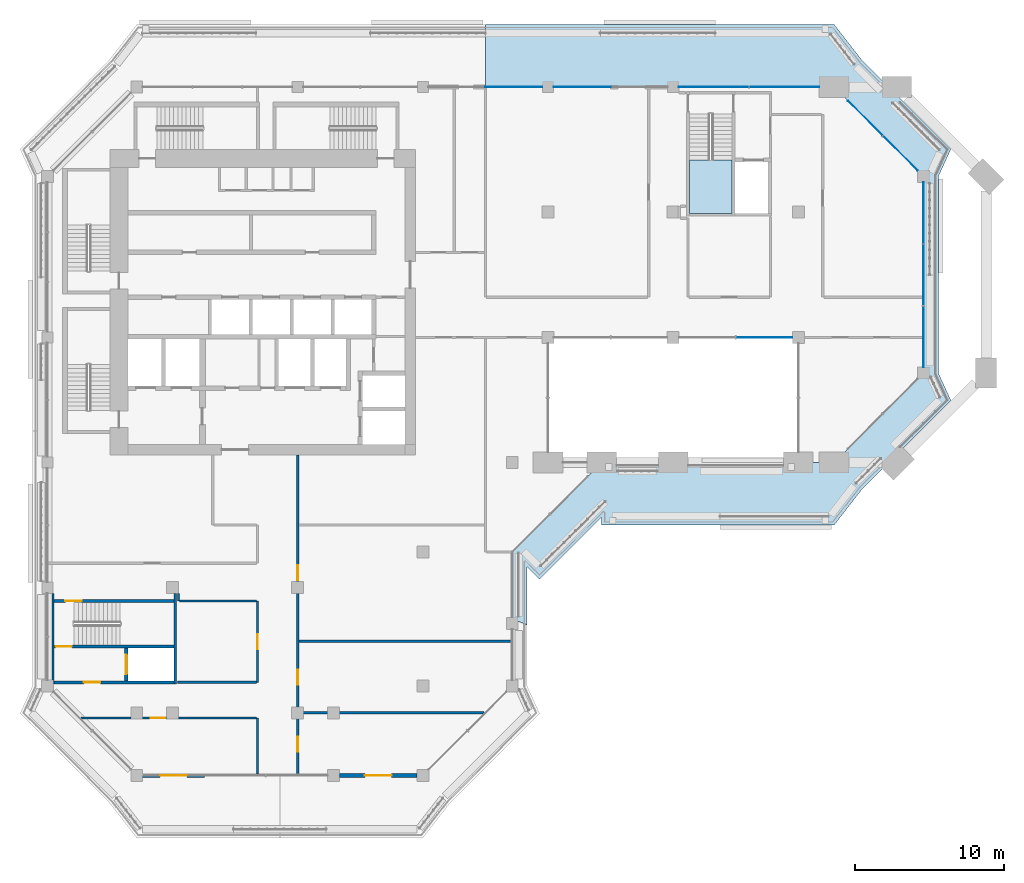
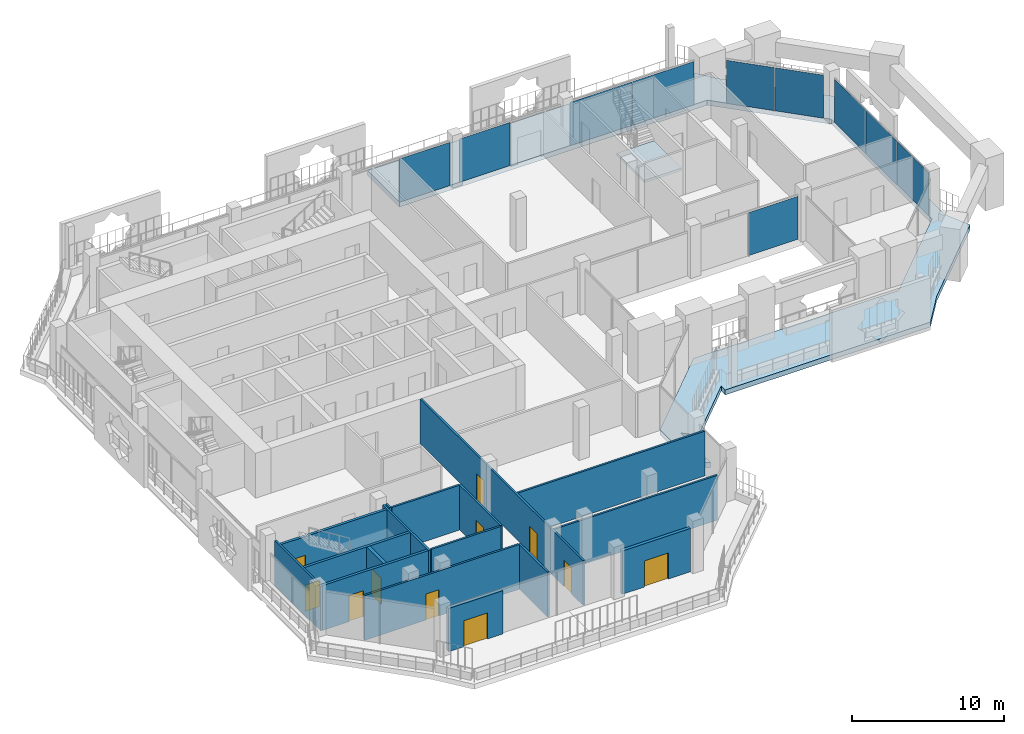
# One storey, part 9 of 22: 17 walls, 11 doors, 10 plates, 2 slabs, 11 openings, 5 elements without a shape of their own.
"""IFC4 building model written with IfcOpenShell, lengths in metres."""

import ifcopenshell
import ifcopenshell.guid

model = None  # the IFC model being written
_history = None  # IfcOwnerHistory: only IFC2X3 demands one
_inside = {}  # id of a spatial element -> (the spatial element, [elements in it])
_under = {}  # id of a project, library or spatial element -> (it, [spatial elements below it])
_declared = {}  # id of a project -> (the project, [libraries it declares])
_typed = {}  # id of a type object -> (the type object, [elements of that type])
_made_of = {}  # id of a material, layer set ... -> (it, [elements and type objects made of it])


def new_model(schema):
    """Start an empty IFC model of exactly this schema.

    Asked for "IFC4X3", IfcOpenShell would pick the latest addendum, in which some entities
    have other attributes; the version numbers below select the first issue.
    IFC2X3 requires an IfcOwnerHistory on every rooted entity: one is made here for all.
    """
    global model, _history
    if schema == "IFC4X3":
        model = ifcopenshell.file(schema_version=(4, 3, 0, 0))
    else:
        model = ifcopenshell.file(schema=schema)
    _inside.clear()
    _under.clear()
    _declared.clear()
    _typed.clear()
    _made_of.clear()
    _history = None
    if model.schema == "IFC2X3":
        org = make("IfcOrganization", Name="unknown")
        user = make(
            "IfcPersonAndOrganization",
            ThePerson=make("IfcPerson", FamilyName="unknown"),
            TheOrganization=org,
        )
        app = make(
            "IfcApplication",
            ApplicationDeveloper=org,
            Version="unknown",
            ApplicationFullName="unknown",
            ApplicationIdentifier="unknown",
        )
        _history = make(
            "IfcOwnerHistory",
            OwningUser=user,
            OwningApplication=app,
            ChangeAction="ADDED",
            CreationDate=0,
        )
    return model


def make(cls, **values):
    """One entity of the class cls with the attributes given. An attribute that is None is left unset."""
    return model.create_entity(
        cls, **{name: value for name, value in values.items() if value is not None}
    )


def rooted(cls, **values):
    """An entity with a GlobalId (a new one), such as an element, a storey or a relation."""
    return make(cls, GlobalId=ifcopenshell.guid.new(), OwnerHistory=_history, **values)


def si_unit(unit_type, name, prefix=None):
    """IfcSIUnit, for example si_unit("LENGTHUNIT", "METRE", prefix="MILLI")."""
    return make("IfcSIUnit", UnitType=unit_type, Prefix=prefix, Name=name)


def assignment(units):
    """IfcUnitAssignment: the units of a project."""
    return None if units is None else make("IfcUnitAssignment", Units=units)


def point(xyz):
    """IfcCartesianPoint."""
    return None if xyz is None else make("IfcCartesianPoint", Coordinates=xyz)


def direction(xyz):
    """IfcDirection."""
    return None if xyz is None else make("IfcDirection", DirectionRatios=xyz)


def frame(location, z_axis=None, x_axis=None):
    """IfcAxis2Placement3D, a coordinate frame: its origin and axes. An axis left out is left unset."""
    return make(
        "IfcAxis2Placement3D",
        Location=point(location),
        Axis=direction(z_axis),
        RefDirection=direction(x_axis),
    )


def frame_2d(location, x_axis=None):
    """IfcAxis2Placement2D, a coordinate frame in the plane: its origin and x axis."""
    return make(
        "IfcAxis2Placement2D", Location=point(location), RefDirection=direction(x_axis)
    )


def origin():
    """The frame at (0, 0, 0) with its axes left unset."""
    return frame((0.0, 0.0, 0.0))


def origin_2d():
    """The frame at (0, 0) in the plane with its x axis left unset."""
    return frame_2d((0.0, 0.0))


def place(relative_to, where):
    """IfcLocalPlacement: puts the frame where relative to a parent placement (None: the world)."""
    return make(
        "IfcLocalPlacement", PlacementRelTo=relative_to, RelativePlacement=where
    )


def context(
    kind, dimensions, precision=None, world=None, true_north=None, identifier=None
):
    """IfcGeometricRepresentationContext, for example the 3D "Model" context."""
    return make(
        "IfcGeometricRepresentationContext",
        ContextIdentifier=identifier,
        ContextType=kind,
        CoordinateSpaceDimension=dimensions,
        Precision=precision,
        WorldCoordinateSystem=world,
        TrueNorth=true_north,
    )


def subcontext(parent, identifier, kind, view, scale=None):
    """IfcGeometricRepresentationSubContext, for example "Body" below "Model"."""
    return make(
        "IfcGeometricRepresentationSubContext",
        ContextIdentifier=identifier,
        ContextType=kind,
        ParentContext=parent,
        TargetScale=scale,
        TargetView=view,
    )


def project(units=None, contexts=None):
    """IfcProject with its units and contexts."""
    return rooted(
        "IfcProject",
        Name="project",
        RepresentationContexts=contexts,
        UnitsInContext=assignment(units),
    )


def spatial(cls, under=None, at=None, **own):
    """A site, building, storey or space (cls), placed at a placement, below another one or the project."""
    s = rooted(cls, ObjectPlacement=at, **own)
    if under is not None:
        _under.setdefault(under.id(), (under, []))[1].append(s)
    return s


def polyline(points):
    """IfcPolyline through the points."""
    return make("IfcPolyline", Points=[point(p) for p in points])


def profile(cls, at=None, kind="AREA", **sizes):
    """A parametric profile (cls). Its sizes go by their IFC names, for example OverallWidth=200.0."""
    return make(cls, ProfileType=kind, Position=at, **sizes)


def rectangle(**sizes):
    """IfcRectangleProfileDef."""
    return profile("IfcRectangleProfileDef", **sizes)


def outline(outer, holes=None, kind="AREA"):
    """IfcArbitraryClosedProfileDef: a profile drawn as a closed curve; with holes, ...WithVoids."""
    if holes is None:
        return make("IfcArbitraryClosedProfileDef", ProfileType=kind, OuterCurve=outer)
    return make(
        "IfcArbitraryProfileDefWithVoids",
        ProfileType=kind,
        OuterCurve=outer,
        InnerCurves=holes,
    )


def extrude(swept, where, along, depth):
    """IfcExtrudedAreaSolid: the profile swept, set in the frame where, extruded along a direction by depth."""
    return make(
        "IfcExtrudedAreaSolid",
        SweptArea=swept,
        Position=where,
        ExtrudedDirection=direction(along),
        Depth=depth,
    )


def shape(context_of_items, identifier, shape_type, items):
    """IfcShapeRepresentation: the items that make up one representation, for example the "Body"."""
    return make(
        "IfcShapeRepresentation",
        ContextOfItems=context_of_items,
        RepresentationIdentifier=identifier,
        RepresentationType=shape_type,
        Items=items,
    )


def material(Name=None, Category=None):
    """IfcMaterial."""
    return make("IfcMaterial", Name=Name, Category=Category)


def layer(
    of_material, thickness, ventilated=None, Name=None, Category=None, Priority=None
):
    """IfcMaterialLayer: one layer of a wall or slab, of a material (None: an air gap)."""
    return make(
        "IfcMaterialLayer",
        Material=of_material,
        LayerThickness=thickness,
        IsVentilated=ventilated,
        Name=Name,
        Category=Category,
        Priority=Priority,
    )


def layer_set(layers, Name=None):
    """IfcMaterialLayerSet."""
    return make("IfcMaterialLayerSet", MaterialLayers=layers, LayerSetName=Name)


def made_of(thing, what):
    """Note that an element or type object is made of a material, layer set ...; save() writes the relation."""
    if what is not None:
        _made_of.setdefault(what.id(), (what, []))[1].append(thing)
    return thing


def type_object(cls, material=None, **own):
    """A type object (cls), such as IfcWallType, which elements share."""
    return made_of(rooted(cls, **own), material)


def element(
    cls,
    number,
    at=None,
    inside=None,
    cuts=None,
    type_object=None,
    material=None,
    context=None,
    identifier="Body",
    shape_type=None,
    held_by="IfcProductDefinitionShape",
    body=None,
    shapes=None,
    **own,
):
    """One element of the class cls, such as IfcWall. Its Tag is "e" and its number.

    at: its placement. inside: the storey or other place that contains it. cuts: it is an
    opening in that element (IfcRelVoidsElement). A single representation is given by context,
    identifier, shape_type and body (its items); several are given by shapes. held_by: the class
    of the entity that holds the representations. save() writes the other relations.
    """
    e = rooted(cls, Tag="e%d" % number, ObjectPlacement=at, **own)
    if body is not None:
        shapes = [shape(context, identifier, shape_type, body)]
    if shapes is not None:
        e.Representation = make(held_by, Representations=shapes)
    if inside is not None:
        _inside.setdefault(inside.id(), (inside, []))[1].append(e)
    if cuts is not None:
        rooted(
            "IfcRelVoidsElement", RelatingBuildingElement=cuts, RelatedOpeningElement=e
        )
    if type_object is not None:
        _typed.setdefault(type_object.id(), (type_object, []))[1].append(e)
    return made_of(e, material)


def fill(opening, filler):
    """IfcRelFillsElement: the door or window that sits in an opening."""
    return rooted(
        "IfcRelFillsElement",
        RelatingOpeningElement=opening,
        RelatedBuildingElement=filler,
    )


def aggregate(whole, parts):
    """IfcRelAggregates: a whole, such as a stair, and the parts it consists of."""
    return rooted("IfcRelAggregates", RelatingObject=whole, RelatedObjects=parts)


def save(model, path):
    """Write the relations noted so far, then the file.

    IfcRelAggregates (storeys below a building ...), IfcRelContainedInSpatialStructure (elements
    in a storey), IfcRelDefinesByType, IfcRelAssociatesMaterial and IfcRelDeclares: one each for
    every whole, place, type object, material and project.
    """
    for whole, parts in _under.values():
        aggregate(whole, parts)
    for where, things in _inside.values():
        rooted(
            "IfcRelContainedInSpatialStructure",
            RelatedElements=things,
            RelatingStructure=where,
        )
    for kind, things in _typed.values():
        rooted("IfcRelDefinesByType", RelatedObjects=things, RelatingType=kind)
    for what, things in _made_of.values():
        rooted("IfcRelAssociatesMaterial", RelatedObjects=things, RelatingMaterial=what)
    for by, libraries in _declared.values():
        rooted("IfcRelDeclares", RelatingContext=by, RelatedDefinitions=libraries)
    model.write(path)


model = new_model("IFC4")

# Units and contexts
model_context = context("Model", 3, precision=1e-05, world=origin(), true_north=direction((0.0, 1.0)))
body_context = subcontext(model_context, "Body", "Model", "MODEL_VIEW")
ifc_project = project(units=[si_unit("LENGTHUNIT", "METRE"), si_unit("AREAUNIT", "SQUARE_METRE"), si_unit("VOLUMEUNIT", "CUBIC_METRE"), si_unit("PLANEANGLEUNIT", "RADIAN"), si_unit("MASSUNIT", "GRAM", prefix="KILO")], contexts=[model_context])

# Site, building, storey
site_placement = place(None, origin())
site = spatial("IfcSite", under=ifc_project, at=site_placement, CompositionType="ELEMENT")
building_placement = place(site_placement, origin())
building = spatial("IfcBuilding", under=site, at=building_placement, Name="Kawkab Arch Medical Tower", CompositionType="ELEMENT")
storey_placement = place(building_placement, frame((0.0, 0.0, 286.0)))
storey = spatial("IfcBuildingStorey", under=building, at=storey_placement, Name="L66", CompositionType="ELEMENT", Elevation=286.0)

# Curtain wall, plates
ifc_material_1 = material(Name="Bronze anodised aluminium curtain wall frame", Category="aluminium")
ifc_layer_1 = layer(ifc_material_1, 0.159912109375)
ifc_layer_set_1 = layer_set([ifc_layer_1], Name="Bronze anodised aluminium curtain wall frame")
curtain_wall_type_1 = type_object("IfcCurtainWallType", Name="CW1 ward curtain wall", PredefinedType="NOTDEFINED", material=ifc_layer_set_1)
placement = place(storey_placement, origin())
curtain_wall_1 = element("IfcCurtainWall", 1, at=placement, inside=storey, type_object=curtain_wall_type_1, Name="CW1 Ward curtain wall R08", PredefinedType="NOTDEFINED")
ifc_material_2 = material(Name="Tinted insulating glass, bronze low-e coating", Category="glass")
ifc_layer_2 = layer(ifc_material_2, 0.031982421875)
ifc_layer_set_2 = layer_set([ifc_layer_2], Name="Tinted insulating glass, bronze low-e coating")
plate_type_1 = type_object("IfcPlateType", Name="CW1 glazing unit 32", PredefinedType="CURTAIN_PANEL", material=ifc_layer_set_2)
plate_1_placement = place(storey_placement, frame((58.800048828125, -16.748291015625, 0.0), z_axis=(0.0, 0.0, 1.0), x_axis=(0.0, 1.0, 0.0)))
plate_1 = element("IfcPlate", 2, at=plate_1_placement, type_object=plate_type_1, Name="CW1 glazing unit 1.1", PredefinedType="CURTAIN_PANEL", context=body_context, shape_type="SweptSolid", body=[
    extrude(rectangle(XDim=4.103271484375, YDim=0.031982421875, at=origin_2d()), origin(), (0.0, 0.0, 1.0), 3.47998046875),
])
plate_2_placement = place(storey_placement, frame((58.800048828125, -12.60009765625, 0.0), z_axis=(0.0, 0.0, 1.0), x_axis=(0.0, 1.0, 0.0)))
plate_2 = element("IfcPlate", 3, at=plate_2_placement, type_object=plate_type_1, Name="CW1 glazing unit 1.2", PredefinedType="CURTAIN_PANEL", context=body_context, shape_type="SweptSolid", body=[
    extrude(rectangle(XDim=4.0732421875, YDim=0.031982421875, at=origin_2d()), origin(), (0.0, 0.0, 1.0), 3.47998046875),
])
plate_3_placement = place(storey_placement, frame((58.800048828125, -8.45166015625, 0.0), z_axis=(0.0, 0.0, 1.0), x_axis=(0.0, 1.0, 0.0)))
plate_3 = element("IfcPlate", 4, at=plate_3_placement, type_object=plate_type_1, Name="CW1 glazing unit 1.3", PredefinedType="CURTAIN_PANEL", context=body_context, shape_type="SweptSolid", body=[
    extrude(rectangle(XDim=4.103271484375, YDim=0.031982421875, at=origin_2d()), origin(), (0.0, 0.0, 1.0), 3.47998046875),
])
aggregate(curtain_wall_1, [plate_1, plate_2, plate_3])

curtain_wall_2 = element("IfcCurtainWall", 5, at=placement, inside=storey, type_object=curtain_wall_type_1, Name="CW1 Ward curtain wall R10", PredefinedType="NOTDEFINED")
plate_4_placement = place(storey_placement, frame((49.458740234375, 0.0, 0.0), z_axis=(0.0, 0.0, 1.0), x_axis=(-1.0, 0.0, 0.0)))
plate_4 = element("IfcPlate", 6, at=plate_4_placement, type_object=plate_type_1, Name="CW1 glazing unit 1.1", PredefinedType="CURTAIN_PANEL", context=body_context, shape_type="SweptSolid", body=[
    extrude(rectangle(XDim=4.6826171875, YDim=0.031982421875, at=origin_2d()), origin(), (0.0, 0.0, 1.0), 3.47998046875),
])
plate_5_placement = place(storey_placement, frame((44.71630859375, 0.0, 0.0), z_axis=(0.0, 0.0, 1.0), x_axis=(-1.0, 0.0, 0.0)))
plate_5 = element("IfcPlate", 7, at=plate_5_placement, type_object=plate_type_1, Name="CW1 glazing unit 1.2", PredefinedType="CURTAIN_PANEL", context=body_context, shape_type="SweptSolid", body=[
    extrude(rectangle(XDim=4.6826171875, YDim=0.031982421875, at=origin_2d()), origin(), (0.0, 0.0, 1.0), 3.47998046875),
])
plate_6_placement = place(storey_placement, frame((35.887451171875, 0.0, 0.0), z_axis=(0.0, 0.0, 1.0), x_axis=(-1.0, 0.0, 0.0)))
plate_6 = element("IfcPlate", 8, at=plate_6_placement, type_object=plate_type_1, Name="CW1 glazing unit 2.2", PredefinedType="CURTAIN_PANEL", context=body_context, shape_type="SweptSolid", body=[
    extrude(rectangle(XDim=3.824951171875, YDim=0.031982421875, at=origin_2d()), origin(), (0.0, 0.0, 1.0), 3.47998046875),
])
plate_7_placement = place(storey_placement, frame((31.3125, 0.0, 0.0), z_axis=(0.0, 0.0, 1.0), x_axis=(-1.0, 0.0, 0.0)))
plate_7 = element("IfcPlate", 9, at=plate_7_placement, type_object=plate_type_1, Name="CW1 glazing unit 3.1", PredefinedType="CURTAIN_PANEL", context=body_context, shape_type="SweptSolid", body=[
    extrude(rectangle(XDim=3.824951171875, YDim=0.031982421875, at=origin_2d()), origin(), (0.0, 0.0, 1.0), 3.47998046875),
])
aggregate(curtain_wall_2, [plate_4, plate_5, plate_6, plate_7])

ifc_material_3 = material(Name="Bronze anodised aluminium curtain wall frame", Category="aluminium")
ifc_layer_3 = layer(ifc_material_3, 0.159912109375)
ifc_layer_set_3 = layer_set([ifc_layer_3], Name="Bronze anodised aluminium curtain wall frame")
curtain_wall_type_2 = type_object("IfcCurtainWallType", Name="CW2 chamfer curtain wall", PredefinedType="NOTDEFINED", material=ifc_layer_set_3)
curtain_wall_3 = element("IfcCurtainWall", 10, at=placement, inside=storey, type_object=curtain_wall_type_2, Name="CW2 Chamfer curtain wall R09", PredefinedType="NOTDEFINED")
ifc_material_4 = material(Name="Tinted insulating glass, bronze low-e coating", Category="glass")
ifc_layer_4 = layer(ifc_material_4, 0.031982421875)
ifc_layer_set_4 = layer_set([ifc_layer_4], Name="Tinted insulating glass, bronze low-e coating")
plate_type_2 = type_object("IfcPlateType", Name="CW2 glazing unit 32", PredefinedType="CURTAIN_PANEL", material=ifc_layer_set_4)
plate_8_placement = place(storey_placement, frame((57.2431640625, -4.443115234375, 0.0), z_axis=(0.0, 0.0, 1.0), x_axis=(-0.707106781187, 0.707106781187, 0.0)))
plate_8 = element("IfcPlate", 11, at=plate_8_placement, type_object=plate_type_2, Name="CW2 glazing unit 1.1", PredefinedType="CURTAIN_PANEL", context=body_context, shape_type="SweptSolid", body=[
    extrude(rectangle(XDim=3.27197265625, YDim=0.031982421875, at=origin_2d()), origin(), (0.0, 0.0, 1.0), 3.4599609375),
])
plate_9_placement = place(storey_placement, frame((54.88720703125, -2.087158203125, 0.0), z_axis=(0.0, 0.0, 1.0), x_axis=(-0.707106781187, 0.707106781187, 0.0)))
plate_9 = element("IfcPlate", 12, at=plate_9_placement, type_object=plate_type_2, Name="CW2 glazing unit 1.2", PredefinedType="CURTAIN_PANEL", context=body_context, shape_type="SweptSolid", body=[
    extrude(rectangle(XDim=3.27197265625, YDim=0.031982421875, at=origin_2d()), origin(), (0.0, 0.0, 1.0), 3.4599609375),
])
aggregate(curtain_wall_3, [plate_8, plate_9])

# Curtain wall, plate
ifc_material_5 = material(Name="Bronze anodised aluminium curtain wall frame", Category="aluminium")
ifc_layer_5 = layer(ifc_material_5, 0.159912109375)
ifc_layer_set_5 = layer_set([ifc_layer_5], Name="Bronze anodised aluminium curtain wall frame")
curtain_wall_type_3 = type_object("IfcCurtainWallType", Name="CW3 sky garden curtain wall", PredefinedType="NOTDEFINED", material=ifc_layer_set_5)
curtain_wall_4 = element("IfcCurtainWall", 13, at=placement, inside=storey, type_object=curtain_wall_type_3, Name="CW3 Sky garden curtain wall R04", PredefinedType="NOTDEFINED")
ifc_material_6 = material(Name="Tinted laminated insulating glass, grey-green", Category="glass")
ifc_layer_6 = layer(ifc_material_6, 0.035888671875)
ifc_layer_set_6 = layer_set([ifc_layer_6], Name="Tinted laminated insulating glass, grey-green")
plate_type_3 = type_object("IfcPlateType", Name="CW3 glazing unit 36", PredefinedType="CURTAIN_PANEL", material=ifc_layer_set_6)
plate_10_placement = place(storey_placement, frame((48.117431640625, -16.800048828125, 0.0), z_axis=(0.0, 0.0, 1.0), x_axis=(1.0, 0.0, 0.0)))
plate_10 = element("IfcPlate", 14, at=plate_10_placement, type_object=plate_type_3, Name="CW3 glazing unit 2.2", PredefinedType="CURTAIN_PANEL", context=body_context, shape_type="SweptSolid", body=[
    extrude(rectangle(XDim=3.764892578125, YDim=0.035888671875, at=origin_2d()), origin(), (0.0, 0.0, 1.0), 3.4599609375),
])
aggregate(curtain_wall_4, [plate_10])

# Stair, slab
ifc_material_7 = material(Name="Concrete C40/50", Category="concrete")
stair_type = type_object("IfcStairType", Name="Exit stair 1350", PredefinedType="HALF_TURN_STAIR", material=ifc_material_7)
stair = element("IfcStair", 15, at=placement, inside=storey, type_object=stair_type, Name="L66 Exit stair ST5", PredefinedType="HALF_TURN_STAIR")
ifc_material_8 = material(Name="Concrete C40/50", Category="concrete")
ifc_layer_7 = layer(ifc_material_8, 0.199951171875)
ifc_layer_set_7 = layer_set([ifc_layer_7], Name="Concrete C40/50")
slab_type_1 = type_object("IfcSlabType", Name="Exit stair landing 200", PredefinedType="LANDING", material=ifc_layer_set_7)
slab_1_placement = place(storey_placement, frame((0.0, 0.0, 1.89990234375)))
slab_1 = element("IfcSlab", 16, at=slab_1_placement, type_object=slab_type_1, Name="ST5 landing 1", PredefinedType="LANDING", context=body_context, shape_type="SweptSolid", body=[
    extrude(outline(polyline([(43.10009765625, -4.8798828125), (43.10009765625, -8.5), (45.949951171875, -8.5), (45.949951171875, -4.8798828125), (43.10009765625, -4.8798828125)])), origin(), (0.0, 0.0, 1.0), 0.2001953125),
])
aggregate(stair, [slab_1])

# Slab
ifc_material_9 = material(Name="Concrete C40/50", Category="concrete")
ifc_layer_8 = layer(ifc_material_9, 0.39990234375)
ifc_layer_set_8 = layer_set([ifc_layer_8], Name="Concrete C40/50")
slab_type_2 = type_object("IfcSlabType", Name="Loggia slab 400", PredefinedType="FLOOR", material=ifc_layer_set_8)
slab_2_placement = place(storey_placement, frame((0.0, 0.0, -0.39990234375)))
element("IfcSlab", 17, at=slab_2_placement, inside=storey, type_object=slab_type_2, Name="Loggia slab L66.6", PredefinedType="FLOOR", context=body_context, shape_type="SweptSolid", body=[
    extrude(outline(polyline([(29.40087890625, 0.0009765625), (29.40087890625, 0.001953125), (29.39990234375, 0.001953125), (29.39990234375, 4.198974609375), (29.40087890625, 4.198974609375), (29.40087890625, 4.199951171875), (52.799072265625, 4.199951171875), (52.799072265625, 4.198974609375), (52.801025390625, 4.198974609375), (54.637939453125, 1.837890625), (60.637939453125, -4.1630859375), (59.800048828125, -6.0), (59.800048828125, -19.199951171875), (60.637939453125, -21.035888671875), (54.637939453125, -27.0380859375), (52.802001953125, -29.39794921875), (52.800048828125, -29.39794921875), (52.800048828125, -29.39892578125), (52.798095703125, -29.39892578125), (52.798095703125, -29.39990234375), (37.201904296875, -29.39990234375), (37.201904296875, -29.39892578125), (37.200927734375, -29.39892578125), (37.200927734375, -29.39794921875), (37.199951171875, -29.39794921875), (37.199951171875, -28.8759765625), (33.0380859375, -33.034912109375), (32.199951171875, -32.198974609375), (32.199951171875, -36.096923828125), (32.198974609375, -36.096923828125), (32.198974609375, -36.097900390625), (32.197998046875, -36.097900390625), (32.197998046875, -36.09912109375), (31.201904296875, -35.699951171875), (31.201904296875, -35.698974609375), (31.200927734375, -35.698974609375), (31.200927734375, -35.697998046875), (31.199951171875, -35.697998046875), (31.199951171875, -31.201904296875), (37.201904296875, -25.199951171875), (52.800048828125, -25.199951171875), (58.800048828125, -19.199951171875), (58.800048828125, -6.0), (52.800048828125, 0.0009765625), (29.40087890625, 0.0009765625)])), origin(), (0.0, 0.0, 1.0), 0.39990234375),
])

# Wall, opening, door
ifc_material_10 = material(Name="Concrete C60/75", Category="concrete")
ifc_layer_9 = layer(ifc_material_10, 0.25)
ifc_layer_set_9 = layer_set([ifc_layer_9], Name="Concrete C60/75")
wall_type_1 = type_object("IfcWallType", Name="Core shear wall 250 C60/75", PredefinedType="SHEAR", material=ifc_layer_set_9)
wall_1_placement = place(storey_placement, frame((5.300048828125, -39.85009765625, 0.0), z_axis=(0.0, 0.0, 1.0), x_axis=(0.0, 1.0, 0.0)))
wall_1 = element("IfcWall", 18, at=wall_1_placement, inside=storey, type_object=wall_type_1, Name="L66 core shear wall", PredefinedType="SHEAR", context=body_context, shape_type="SweptSolid", body=[
    extrude(rectangle(XDim=2.2001953125, YDim=0.25, at=frame_2d((1.10009765625, 0.0))), origin(), (0.0, 0.0, 1.0), 3.60009765625),
])
opening_1_placement = place(wall_1_placement, frame((0.449951171875, 0.0, 0.0)))
opening_1 = element("IfcOpeningElement", 19, at=opening_1_placement, cuts=wall_1, Name="Opening LD2", PredefinedType="OPENING", context=body_context, shape_type="SweptSolid", body=[
    extrude(rectangle(XDim=1.300048828125, YDim=2.10009765625, at=frame_2d((0.64990234375, 1.050048828125))), frame((0.0, 0.135009765625, 0.0), z_axis=(0.0, -1.0, 0.0), x_axis=(1.0, 0.0, 0.0)), (0.0, 0.0, 1.0), 0.27001953125),
])
ifc_material_11 = material(Name="Stainless steel lift door leaf", Category="steel")
door_type_1 = type_object("IfcDoorType", Name="Lift landing door 1300", OperationType="DOUBLE_DOOR_SLIDING", PredefinedType="DOOR", material=ifc_material_11)
door_1_placement = place(opening_1_placement, origin())
door_1 = element("IfcDoor", 20, at=door_1_placement, inside=storey, type_object=door_type_1, Name="L66 Lift landing door SV2", OperationType="DOUBLE_DOOR_SLIDING", OverallHeight=2.10009765625, OverallWidth=1.300048828125, PredefinedType="DOOR", context=body_context, shape_type="SweptSolid", body=[
    extrude(rectangle(XDim=1.300048828125, YDim=2.10009765625, at=frame_2d((0.64990234375, 1.050048828125))), frame((0.0, 0.02490234375, 0.0), z_axis=(0.0, -1.0, 0.0), x_axis=(1.0, 0.0, 0.0)), (0.0, 0.0, 1.0), 0.050048828125),
])
fill(opening_1, door_1)

ifc_material_12 = material(Name="Bronze clad insulated wall panel")
ifc_layer_10 = layer(ifc_material_12, 0.25)
ifc_layer_set_10 = layer_set([ifc_layer_10], Name="Bronze clad insulated wall panel")
wall_type_2 = type_object("IfcWallType", Name="External wall bay 250", PredefinedType="SOLIDWALL", material=ifc_layer_set_10)
wall_2_placement = place(storey_placement, frame((6.39990234375, -46.199951171875, 0.0), z_axis=(0.0, 0.0, 1.0), x_axis=(1.0, 0.0, 0.0)))
wall_2 = element("IfcWall", 21, at=wall_2_placement, inside=storey, type_object=wall_type_2, Name="External wall bay L66.R14.1.1", PredefinedType="SOLIDWALL", context=body_context, shape_type="SweptSolid", body=[
    extrude(rectangle(XDim=4.133544921875, YDim=0.25, at=frame_2d((2.06689453125, 0.0))), origin(), (0.0, 0.0, 1.0), 3.47998046875),
])
opening_2_placement = place(wall_2_placement, frame((1.166748046875, 0.0, 0.0)))
opening_2 = element("IfcOpeningElement", 22, at=opening_2_placement, cuts=wall_2, Name="Opening B66-701", PredefinedType="OPENING", context=body_context, shape_type="SweptSolid", body=[
    extrude(rectangle(XDim=1.800048828125, YDim=2.10009765625, at=frame_2d((0.89990234375, 1.050048828125))), frame((0.0, 0.135009765625, 0.0), z_axis=(0.0, -1.0, 0.0), x_axis=(1.0, 0.0, 0.0)), (0.0, 0.0, 1.0), 0.27001953125),
])
ifc_material_13 = material(Name="Bronze anodised aluminium door with tinted glass", Category="aluminium")
door_type_2 = type_object("IfcDoorType", Name="Double external door 1800 x 2100", OperationType="DOUBLE_DOOR_SINGLE_SWING", PredefinedType="DOOR", material=ifc_material_13)
door_2_placement = place(opening_2_placement, origin())
door_2 = element("IfcDoor", 23, at=door_2_placement, inside=storey, type_object=door_type_2, Name="External door L66.R14.1.1", OperationType="DOUBLE_DOOR_SINGLE_SWING", OverallHeight=2.10009765625, OverallWidth=1.800048828125, PredefinedType="DOOR", context=body_context, shape_type="SweptSolid", body=[
    extrude(rectangle(XDim=1.800048828125, YDim=2.10009765625, at=frame_2d((0.89990234375, 1.050048828125))), frame((0.0, 0.02490234375, 0.0), z_axis=(0.0, -1.0, 0.0), x_axis=(1.0, 0.0, 0.0)), (0.0, 0.0, 1.0), 0.050048828125),
])
fill(opening_2, door_2)

wall_3_placement = place(storey_placement, frame((19.60009765625, -46.199951171875, 0.0), z_axis=(0.0, 0.0, 1.0), x_axis=(1.0, 0.0, 0.0)))
wall_3 = element("IfcWall", 24, at=wall_3_placement, inside=storey, type_object=wall_type_2, Name="External wall bay L66.R14.2.1", PredefinedType="SOLIDWALL", context=body_context, shape_type="SweptSolid", body=[
    extrude(rectangle(XDim=5.199951171875, YDim=0.25, at=frame_2d((2.60009765625, 0.0))), origin(), (0.0, 0.0, 1.0), 3.47998046875),
])
opening_3_placement = place(wall_3_placement, frame((1.699951171875, 0.0, 0.0)))
opening_3 = element("IfcOpeningElement", 25, at=opening_3_placement, cuts=wall_3, Name="Opening B66-701", PredefinedType="OPENING", context=body_context, shape_type="SweptSolid", body=[
    extrude(rectangle(XDim=1.800048828125, YDim=2.10009765625, at=frame_2d((0.89990234375, 1.050048828125))), frame((0.0, 0.135009765625, 0.0), z_axis=(0.0, -1.0, 0.0), x_axis=(1.0, 0.0, 0.0)), (0.0, 0.0, 1.0), 0.27001953125),
])
door_3_placement = place(opening_3_placement, origin())
door_3 = element("IfcDoor", 26, at=door_3_placement, inside=storey, type_object=door_type_2, Name="External door L66.R14.2.1", OperationType="DOUBLE_DOOR_SINGLE_SWING", OverallHeight=2.10009765625, OverallWidth=1.800048828125, PredefinedType="DOOR", context=body_context, shape_type="SweptSolid", body=[
    extrude(rectangle(XDim=1.800048828125, YDim=2.10009765625, at=frame_2d((0.89990234375, 1.050048828125))), frame((0.0, 0.02490234375, 0.0), z_axis=(0.0, -1.0, 0.0), x_axis=(1.0, 0.0, 0.0)), (0.0, 0.0, 1.0), 0.050048828125),
])
fill(opening_3, door_3)

ifc_material_14 = material(Name="Gypsum board partition on steel studs, mineral wool", Category="steel")
ifc_layer_11 = layer(ifc_material_14, 0.14990234375)
ifc_layer_set_11 = layer_set([ifc_layer_11], Name="Gypsum board partition on steel studs, mineral wool")
wall_type_3 = type_object("IfcWallType", Name="Partition 150", PredefinedType="PARTITIONING", material=ifc_layer_set_11)
wall_4_placement = place(storey_placement, frame((2.262939453125, -42.35009765625, 0.0), z_axis=(0.0, 0.0, 1.0), x_axis=(1.0, 0.0, 0.0)))
wall_4 = element("IfcWall", 27, at=wall_4_placement, inside=storey, type_object=wall_type_3, Name="Partition 150 w001", PredefinedType="PARTITIONING", context=body_context, shape_type="SweptSolid", body=[
    extrude(rectangle(XDim=11.761962890625, YDim=0.14990234375, at=frame_2d((5.880859375, 0.0))), origin(), (0.0, 0.0, 1.0), 3.60009765625),
])
opening_4_placement = place(wall_4_placement, frame((4.662109375, 0.0, 0.0)))
opening_4 = element("IfcOpeningElement", 28, at=opening_4_placement, cuts=wall_4, Name="Opening B66-009", PredefinedType="OPENING", context=body_context, shape_type="SweptSolid", body=[
    extrude(rectangle(XDim=1.0, YDim=2.10009765625, at=frame_2d((0.5, 1.050048828125))), frame((0.0, 0.0849609375, 0.0), z_axis=(0.0, -1.0, 0.0), x_axis=(1.0, 0.0, 0.0)), (0.0, 0.0, 1.0), 0.169921875),
])
ifc_material_15 = material(Name="Hollow metal door leaf")
door_type_3 = type_object("IfcDoorType", Name="Single door 1000x2100 FD30S", OperationType="NOTDEFINED", PredefinedType="DOOR", material=ifc_material_15)
door_4_placement = place(opening_4_placement, origin())
door_4 = element("IfcDoor", 29, at=door_4_placement, inside=storey, type_object=door_type_3, Name="Door B66-009", OperationType="SINGLE_SWING_RIGHT", OverallHeight=2.10009765625, OverallWidth=1.0, PredefinedType="DOOR", context=body_context, shape_type="SweptSolid", body=[
    extrude(rectangle(XDim=1.0, YDim=2.10009765625, at=frame_2d((0.5, 1.050048828125))), frame((0.0, 0.02490234375, 0.0), z_axis=(0.0, -1.0, 0.0), x_axis=(1.0, 0.0, 0.0)), (0.0, 0.0, 1.0), 0.050048828125),
])
fill(opening_4, door_4)

# Walls
wall_5_placement = place(storey_placement, frame((16.875, -42.0, 0.0), z_axis=(0.0, 0.0, 1.0), x_axis=(1.0, 0.0, 0.0)))
element("IfcWall", 30, at=wall_5_placement, inside=storey, type_object=wall_type_3, Name="Partition 150 w002", PredefinedType="PARTITIONING", context=body_context, shape_type="SweptSolid", body=[
    extrude(rectangle(XDim=12.412109375, YDim=0.14990234375, at=frame_2d((6.2060546875, 0.0))), origin(), (0.0, 0.0, 1.0), 3.60009765625),
])
wall_6_placement = place(storey_placement, frame((8.72998046875, -39.949951171875, 0.0), z_axis=(0.0, 0.0, 1.0), x_axis=(1.0, 0.0, 0.0)))
element("IfcWall", 31, at=wall_6_placement, inside=storey, type_object=wall_type_3, Name="Partition 150 w003", PredefinedType="PARTITIONING", context=body_context, shape_type="SweptSolid", body=[
    extrude(rectangle(XDim=5.294921875, YDim=0.14990234375, at=frame_2d((2.6474609375, 0.0))), origin(), (0.0, 0.0, 1.0), 3.60009765625),
])
wall_7_placement = place(storey_placement, frame((16.875, -37.199951171875, 0.0), z_axis=(0.0, 0.0, 1.0), x_axis=(1.0, 0.0, 0.0)))
element("IfcWall", 32, at=wall_7_placement, inside=storey, type_object=wall_type_3, Name="Partition 150 w004", PredefinedType="PARTITIONING", context=body_context, shape_type="SweptSolid", body=[
    extrude(rectangle(XDim=14.2451171875, YDim=0.14990234375, at=frame_2d((7.12255859375, 0.0))), origin(), (0.0, 0.0, 1.0), 3.60009765625),
])
wall_8_placement = place(storey_placement, frame((8.875, -34.5, 0.0), z_axis=(0.0, 0.0, 1.0), x_axis=(1.0, 0.0, 0.0)))
element("IfcWall", 33, at=wall_8_placement, inside=storey, type_object=wall_type_3, Name="Partition 150 w005", PredefinedType="PARTITIONING", context=body_context, shape_type="SweptSolid", body=[
    extrude(rectangle(XDim=5.14990234375, YDim=0.14990234375, at=frame_2d((2.574951171875, 0.0))), origin(), (0.0, 0.0, 1.0), 3.60009765625),
])
wall_9_placement = place(storey_placement, frame((8.800048828125, -34.5, 0.0), z_axis=(0.0, 0.0, 1.0), x_axis=(0.0, 1.0, 0.0)))
element("IfcWall", 34, at=wall_9_placement, inside=storey, type_object=wall_type_3, Name="Partition 150 w020", PredefinedType="PARTITIONING", context=body_context, shape_type="SweptSolid", body=[
    extrude(rectangle(XDim=0.5, YDim=0.14990234375, at=frame_2d((0.25, 0.0))), origin(), (0.0, 0.0, 1.0), 3.60009765625),
])
wall_10_placement = place(storey_placement, frame((14.10009765625, -46.1201171875, 0.0), z_axis=(0.0, 0.0, 1.0), x_axis=(0.0, 1.0, 0.0)))
element("IfcWall", 35, at=wall_10_placement, inside=storey, type_object=wall_type_3, Name="Partition 150 w022", PredefinedType="PARTITIONING", context=body_context, shape_type="SweptSolid", body=[
    extrude(rectangle(XDim=3.77001953125, YDim=0.14990234375, at=frame_2d((1.885009765625, 0.0))), origin(), (0.0, 0.0, 1.0), 3.60009765625),
])

# Wall, opening, door
wall_11_placement = place(storey_placement, frame((14.10009765625, -39.949951171875, 0.0), z_axis=(0.0, 0.0, 1.0), x_axis=(0.0, 1.0, 0.0)))
wall_11 = element("IfcWall", 36, at=wall_11_placement, inside=storey, type_object=wall_type_3, Name="Partition 150 w023", PredefinedType="PARTITIONING", context=body_context, shape_type="SweptSolid", body=[
    extrude(rectangle(XDim=5.449951171875, YDim=0.14990234375, at=frame_2d((2.72509765625, 0.0))), origin(), (0.0, 0.0, 1.0), 3.60009765625),
])
opening_5_placement = place(wall_11_placement, frame((2.22509765625, 0.0, 0.0)))
opening_5 = element("IfcOpeningElement", 37, at=opening_5_placement, cuts=wall_11, Name="Opening B66-014", PredefinedType="OPENING", context=body_context, shape_type="SweptSolid", body=[
    extrude(rectangle(XDim=1.0, YDim=2.10009765625, at=frame_2d((0.5, 1.050048828125))), frame((0.0, 0.0849609375, 0.0), z_axis=(0.0, -1.0, 0.0), x_axis=(1.0, 0.0, 0.0)), (0.0, 0.0, 1.0), 0.169921875),
])
door_5_placement = place(opening_5_placement, origin())
door_5 = element("IfcDoor", 38, at=door_5_placement, inside=storey, type_object=door_type_3, Name="Door B66-014", OperationType="SINGLE_SWING_RIGHT", OverallHeight=2.10009765625, OverallWidth=1.0, PredefinedType="DOOR", context=body_context, shape_type="SweptSolid", body=[
    extrude(rectangle(XDim=1.0, YDim=2.10009765625, at=frame_2d((0.5, 1.050048828125))), frame((0.0, 0.02490234375, 0.0), z_axis=(0.0, -1.0, 0.0), x_axis=(1.0, 0.0, 0.0)), (0.0, 0.0, 1.0), 0.050048828125),
])
fill(opening_5, door_5)

# Wall, openings, doors
wall_12_placement = place(storey_placement, frame((16.800048828125, -46.1201171875, 0.0), z_axis=(0.0, 0.0, 1.0), x_axis=(0.0, 1.0, 0.0)))
wall_12 = element("IfcWall", 39, at=wall_12_placement, inside=storey, type_object=wall_type_3, Name="Partition 150 w026", PredefinedType="PARTITIONING", context=body_context, shape_type="SweptSolid", body=[
    extrude(rectangle(XDim=21.420166015625, YDim=0.14990234375, at=frame_2d((10.7099609375, 0.0))), origin(), (0.0, 0.0, 1.0), 3.60009765625),
])
opening_6_placement = place(wall_12_placement, frame((13.02001953125, 0.0, 0.0)))
opening_6 = element("IfcOpeningElement", 40, at=opening_6_placement, cuts=wall_12, Name="Opening B66-010", PredefinedType="OPENING", context=body_context, shape_type="SweptSolid", body=[
    extrude(rectangle(XDim=1.0, YDim=2.10009765625, at=frame_2d((0.5, 1.050048828125))), frame((0.0, 0.0849609375, 0.0), z_axis=(0.0, -1.0, 0.0), x_axis=(1.0, 0.0, 0.0)), (0.0, 0.0, 1.0), 0.169921875),
])
opening_7_placement = place(wall_12_placement, frame((6.02001953125, 0.0, 0.0)))
opening_7 = element("IfcOpeningElement", 41, at=opening_7_placement, cuts=wall_12, Name="Opening B66-011", PredefinedType="OPENING", context=body_context, shape_type="SweptSolid", body=[
    extrude(rectangle(XDim=1.0, YDim=2.10009765625, at=frame_2d((0.5, 1.050048828125))), frame((0.0, 0.0849609375, 0.0), z_axis=(0.0, -1.0, 0.0), x_axis=(1.0, 0.0, 0.0)), (0.0, 0.0, 1.0), 0.169921875),
])
opening_8_placement = place(wall_12_placement, frame((1.52001953125, 0.0, 0.0)))
opening_8 = element("IfcOpeningElement", 42, at=opening_8_placement, cuts=wall_12, Name="Opening B66-012", PredefinedType="OPENING", context=body_context, shape_type="SweptSolid", body=[
    extrude(rectangle(XDim=1.0, YDim=2.10009765625, at=frame_2d((0.5, 1.050048828125))), frame((0.0, 0.0849609375, 0.0), z_axis=(0.0, -1.0, 0.0), x_axis=(1.0, 0.0, 0.0)), (0.0, 0.0, 1.0), 0.169921875),
])
door_6_placement = place(opening_6_placement, origin())
door_6 = element("IfcDoor", 43, at=door_6_placement, inside=storey, type_object=door_type_3, Name="Door B66-010", OperationType="SINGLE_SWING_LEFT", OverallHeight=2.10009765625, OverallWidth=1.0, PredefinedType="DOOR", context=body_context, shape_type="SweptSolid", body=[
    extrude(rectangle(XDim=1.0, YDim=2.10009765625, at=frame_2d((0.5, 1.050048828125))), frame((0.0, 0.02490234375, 0.0), z_axis=(0.0, -1.0, 0.0), x_axis=(1.0, 0.0, 0.0)), (0.0, 0.0, 1.0), 0.050048828125),
])
fill(opening_6, door_6)
door_7_placement = place(opening_7_placement, origin())
door_7 = element("IfcDoor", 44, at=door_7_placement, inside=storey, type_object=door_type_3, Name="Door B66-011", OperationType="SINGLE_SWING_RIGHT", OverallHeight=2.10009765625, OverallWidth=1.0, PredefinedType="DOOR", context=body_context, shape_type="SweptSolid", body=[
    extrude(rectangle(XDim=1.0, YDim=2.10009765625, at=frame_2d((0.5, 1.050048828125))), frame((0.0, 0.02490234375, 0.0), z_axis=(0.0, -1.0, 0.0), x_axis=(1.0, 0.0, 0.0)), (0.0, 0.0, 1.0), 0.050048828125),
])
fill(opening_7, door_7)
door_8_placement = place(opening_8_placement, origin())
door_8 = element("IfcDoor", 45, at=door_8_placement, inside=storey, type_object=door_type_3, Name="Door B66-012", OperationType="SINGLE_SWING_RIGHT", OverallHeight=2.10009765625, OverallWidth=1.0, PredefinedType="DOOR", context=body_context, shape_type="SweptSolid", body=[
    extrude(rectangle(XDim=1.0, YDim=2.10009765625, at=frame_2d((0.5, 1.050048828125))), frame((0.0, 0.02490234375, 0.0), z_axis=(0.0, -1.0, 0.0), x_axis=(1.0, 0.0, 0.0)), (0.0, 0.0, 1.0), 0.050048828125),
])
fill(opening_8, door_8)

# Walls
ifc_material_16 = material(Name="Concrete C50/60", Category="concrete")
ifc_layer_12 = layer(ifc_material_16, 0.14990234375)
ifc_layer_set_12 = layer_set([ifc_layer_12], Name="Concrete C50/60")
wall_type_4 = type_object("IfcWallType", Name="Stair enclosure wall 150 C50/60", PredefinedType="SHEAR", material=ifc_layer_set_12)
wall_13_placement = place(storey_placement, frame((0.375, -40.050048828125, 0.0), z_axis=(0.0, 0.0, 1.0), x_axis=(0.0, 1.0, 0.0)))
element("IfcWall", 46, at=wall_13_placement, inside=storey, type_object=wall_type_4, Name="L66 stair enclosure wall", PredefinedType="SHEAR", context=body_context, shape_type="SweptSolid", body=[
    extrude(rectangle(XDim=6.074951171875, YDim=0.14990234375, at=frame_2d((3.03759765625, 0.0))), origin(), (0.0, 0.0, 1.0), 3.60009765625),
])
wall_14_placement = place(storey_placement, frame((8.574951171875, -40.050048828125, 0.0), z_axis=(0.0, 0.0, 1.0), x_axis=(0.0, 1.0, 0.0)))
element("IfcWall", 47, at=wall_14_placement, inside=storey, type_object=wall_type_4, Name="L66 stair enclosure wall", PredefinedType="SHEAR", context=body_context, shape_type="SweptSolid", body=[
    extrude(rectangle(XDim=6.050048828125, YDim=0.14990234375, at=frame_2d((3.02490234375, 0.0))), origin(), (0.0, 0.0, 1.0), 3.60009765625),
])

# Wall, opening, door
ifc_material_17 = material(Name="Concrete C50/60", Category="concrete")
ifc_layer_13 = layer(ifc_material_17, 0.199951171875)
ifc_layer_set_13 = layer_set([ifc_layer_13], Name="Concrete C50/60")
wall_type_5 = type_object("IfcWallType", Name="Stair enclosure wall 200 C50/60", PredefinedType="SHEAR", material=ifc_layer_set_13)
wall_15_placement = place(storey_placement, frame((0.449951171875, -34.5, 0.0), z_axis=(0.0, 0.0, 1.0), x_axis=(1.0, 0.0, 0.0)))
wall_15 = element("IfcWall", 48, at=wall_15_placement, inside=storey, type_object=wall_type_5, Name="L66 stair enclosure wall", PredefinedType="SHEAR", context=body_context, shape_type="SweptSolid", body=[
    extrude(rectangle(XDim=8.050048828125, YDim=0.199951171875, at=frame_2d((4.02490234375, 0.0))), origin(), (0.0, 0.0, 1.0), 3.60009765625),
])
opening_9_placement = place(wall_15_placement, frame((0.75, 0.0, 0.0)))
opening_9 = element("IfcOpeningElement", 49, at=opening_9_placement, cuts=wall_15, Name="Opening SD", PredefinedType="OPENING", context=body_context, shape_type="SweptSolid", body=[
    extrude(rectangle(XDim=1.10009765625, YDim=2.10009765625, at=frame_2d((0.550048828125, 1.050048828125))), frame((0.0, 0.10986328125, 0.0), z_axis=(0.0, -1.0, 0.0), x_axis=(1.0, 0.0, 0.0)), (0.0, 0.0, 1.0), 0.219970703125),
])
ifc_material_18 = material(Name="Hollow metal fire door leaf")
door_type_4 = type_object("IfcDoorType", Name="Exit stair door 1100", OperationType="SINGLE_SWING_LEFT", PredefinedType="DOOR", material=ifc_material_18)
door_9_placement = place(opening_9_placement, origin())
door_9 = element("IfcDoor", 50, at=door_9_placement, inside=storey, type_object=door_type_4, Name="L66 Exit stair ST6 door", OperationType="SINGLE_SWING_LEFT", OverallHeight=2.10009765625, OverallWidth=1.10009765625, PredefinedType="DOOR", context=body_context, shape_type="SweptSolid", body=[
    extrude(rectangle(XDim=1.10009765625, YDim=2.10009765625, at=frame_2d((0.550048828125, 1.050048828125))), frame((0.0, 0.02490234375, 0.0), z_axis=(0.0, -1.0, 0.0), x_axis=(1.0, 0.0, 0.0)), (0.0, 0.0, 1.0), 0.050048828125),
])
fill(opening_9, door_9)

wall_16_placement = place(storey_placement, frame((0.449951171875, -37.550048828125, 0.0), z_axis=(0.0, 0.0, 1.0), x_axis=(1.0, 0.0, 0.0)))
wall_16 = element("IfcWall", 51, at=wall_16_placement, inside=storey, type_object=wall_type_5, Name="L66 stair enclosure wall", PredefinedType="SHEAR", context=body_context, shape_type="SweptSolid", body=[
    extrude(rectangle(XDim=8.050048828125, YDim=0.199951171875, at=frame_2d((4.02490234375, 0.0))), origin(), (0.0, 0.0, 1.0), 3.60009765625),
])
opening_10_placement = place(wall_16_placement, frame((0.10009765625, 0.0, 0.0)))
opening_10 = element("IfcOpeningElement", 52, at=opening_10_placement, cuts=wall_16, Name="Opening SD", PredefinedType="OPENING", context=body_context, shape_type="SweptSolid", body=[
    extrude(rectangle(XDim=1.10009765625, YDim=2.10009765625, at=frame_2d((0.550048828125, 1.050048828125))), frame((0.0, 0.10986328125, 0.0), z_axis=(0.0, -1.0, 0.0), x_axis=(1.0, 0.0, 0.0)), (0.0, 0.0, 1.0), 0.219970703125),
])
door_10_placement = place(opening_10_placement, frame((1.10009765625, 0.0, 0.0), z_axis=(0.0, 0.0, 1.0), x_axis=(-1.0, 0.0, 0.0)))
door_10 = element("IfcDoor", 53, at=door_10_placement, inside=storey, type_object=door_type_4, Name="L66 Exit stair ST6 lobby door", OperationType="SINGLE_SWING_LEFT", OverallHeight=2.10009765625, OverallWidth=1.10009765625, PredefinedType="DOOR", context=body_context, shape_type="SweptSolid", body=[
    extrude(rectangle(XDim=1.10009765625, YDim=2.10009765625, at=frame_2d((0.550048828125, 1.050048828125))), frame((0.0, 0.02490234375, 0.0), z_axis=(0.0, -1.0, 0.0), x_axis=(1.0, 0.0, 0.0)), (0.0, 0.0, 1.0), 0.050048828125),
])
fill(opening_10, door_10)

wall_17_placement = place(storey_placement, frame((0.449951171875, -39.949951171875, 0.0), z_axis=(0.0, 0.0, 1.0), x_axis=(1.0, 0.0, 0.0)))
wall_17 = element("IfcWall", 54, at=wall_17_placement, inside=storey, type_object=wall_type_5, Name="L66 stair enclosure wall", PredefinedType="SHEAR", context=body_context, shape_type="SweptSolid", body=[
    extrude(rectangle(XDim=8.050048828125, YDim=0.199951171875, at=frame_2d((4.02490234375, 0.0))), origin(), (0.0, 0.0, 1.0), 3.60009765625),
])
opening_11_placement = place(wall_17_placement, frame((2.0, 0.0, 0.0)))
opening_11 = element("IfcOpeningElement", 55, at=opening_11_placement, cuts=wall_17, Name="Opening FD", PredefinedType="OPENING", context=body_context, shape_type="SweptSolid", body=[
    extrude(rectangle(XDim=1.10009765625, YDim=2.10009765625, at=frame_2d((0.550048828125, 1.050048828125))), frame((0.0, 0.10986328125, 0.0), z_axis=(0.0, -1.0, 0.0), x_axis=(1.0, 0.0, 0.0)), (0.0, 0.0, 1.0), 0.219970703125),
])
ifc_material_19 = material(Name="Hollow metal fire door leaf")
door_type_5 = type_object("IfcDoorType", Name="Firefighting lobby door 1100", OperationType="SINGLE_SWING_LEFT", PredefinedType="DOOR", material=ifc_material_19)
door_11_placement = place(opening_11_placement, origin())
door_11 = element("IfcDoor", 56, at=door_11_placement, inside=storey, type_object=door_type_5, Name="L66 Service lift lobby door SV2", OperationType="SINGLE_SWING_LEFT", OverallHeight=2.10009765625, OverallWidth=1.10009765625, PredefinedType="DOOR", context=body_context, shape_type="SweptSolid", body=[
    extrude(rectangle(XDim=1.10009765625, YDim=2.10009765625, at=frame_2d((0.550048828125, 1.050048828125))), frame((0.0, 0.02490234375, 0.0), z_axis=(0.0, -1.0, 0.0), x_axis=(1.0, 0.0, 0.0)), (0.0, 0.0, 1.0), 0.050048828125),
])
fill(opening_11, door_11)

save(model, "model.ifc")
